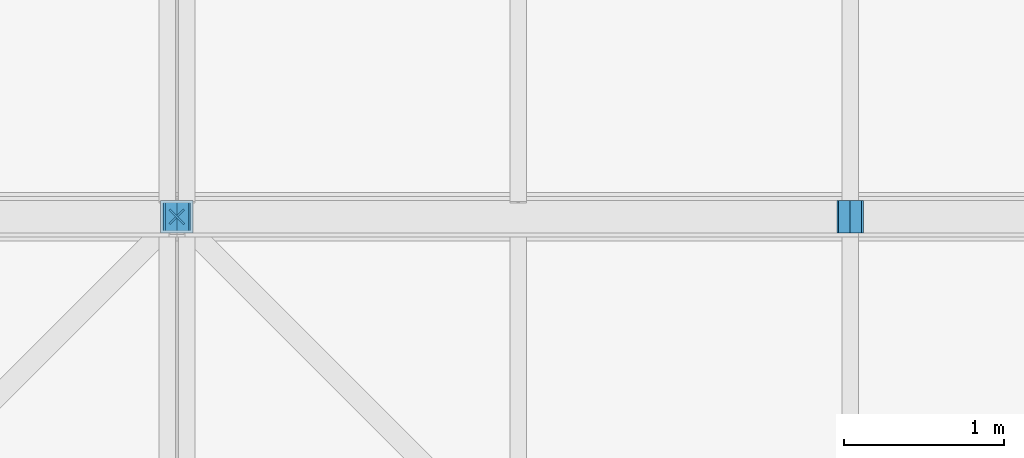
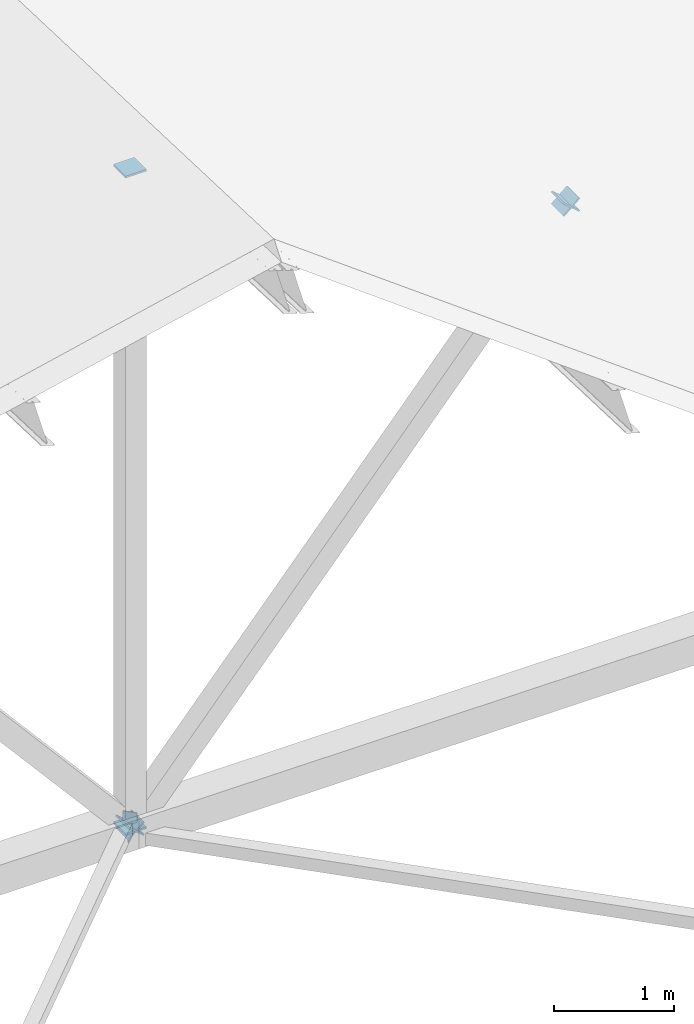
# One storey, part 45 of 76: 8 discrete accessories.
"""IFC4 building model written with IfcOpenShell, lengths in metres."""

from ifc_helpers import new_model, si_unit, direction, frame, origin, origin_2d, place, context, subcontext, project, spatial, rectangle, extrude, material, element, save


model = new_model("IFC4")

# Units and contexts
model_context = context("Model", 3, precision=1e-05, world=origin(), true_north=direction((0.0, 1.0)))
body_context = subcontext(model_context, "Body", "Model", "MODEL_VIEW")
ifc_project = project(units=[si_unit("LENGTHUNIT", "METRE"), si_unit("AREAUNIT", "SQUARE_METRE"), si_unit("VOLUMEUNIT", "CUBIC_METRE"), si_unit("PLANEANGLEUNIT", "RADIAN"), si_unit("MASSUNIT", "GRAM", prefix="KILO")], contexts=[model_context])

# Site, building, storey
site_placement = place(None, origin())
site = spatial("IfcSite", under=ifc_project, at=site_placement, CompositionType="ELEMENT")
building_placement = place(site_placement, origin())
building = spatial("IfcBuilding", under=site, at=building_placement, Name="Hlaing Beacon Police Headquarters", CompositionType="ELEMENT")
storey_placement = place(building_placement, frame((0.0, 0.0, 18.89990234375)))
storey = spatial("IfcBuildingStorey", under=building, at=storey_placement, Name="L04", CompositionType="ELEMENT", Elevation=18.89990234375)

# Discrete accessories
ifc_material = material(Name="Steel ASTM A572 Grade 50", Category="steel")
for number, where, z_axis, x_axis, name in (
    (1, (67.199951171875, 42.0, -4.33740234375), (0.0, 0.0, -1.0), (1.0, 0.0, 0.0), "Gusset plate GP-265"),
    (2, (67.199951171875, 42.0, 2.344482421875), (0.0, 0.0, 1.0), (1.0, 0.0, 0.0), "Gusset plate GP-266"),
):
    element("IfcDiscreteAccessory", number, at=place(storey_placement, frame(where, z_axis=z_axis, x_axis=x_axis)), inside=storey, material=ifc_material, Name=name, PredefinedType="BRACKET", context=body_context, shape_type="SweptSolid", body=[
        extrude(rectangle(XDim=0.203125, YDim=0.203125, at=origin_2d()), origin(), (0.0, 0.0, 1.0), 0.02001953125),
    ])
for number, where, z_axis, x_axis, name in (
    (3, (67.19482421875, 42.0, -4.34130859375), (0.651561457918, 0.0, -0.758595851924), (0.0, 1.0, 0.0), "Gusset plate GP-276"),
    (4, (67.205078125, 42.0, -4.34130859375), (-0.651561457918, 0.0, -0.758595851924), (0.0, -1.0, 0.0), "Gusset plate GP-277"),
    (5, (71.394775390625, 42.0, 0.536376953125), (0.651561457918, 0.0, 0.758595851924), (0.0, 1.0, 0.0), "Gusset plate GP-278"),
    (6, (71.405029296875, 42.0, 0.536376953125), (-0.651583252877, 0.0, 0.75857713159), (0.0, -1.0, 0.0), "Gusset plate GP-279"),
):
    element("IfcDiscreteAccessory", number, at=place(storey_placement, frame(where, z_axis=z_axis, x_axis=x_axis)), inside=storey, material=ifc_material, Name=name, PredefinedType="BRACKET", context=body_context, shape_type="SweptSolid", body=[
        extrude(rectangle(XDim=0.203125, YDim=0.203125, at=origin_2d()), origin(), (0.0, 0.0, 1.0), 0.01611328125),
    ])
for number, where, z_axis, x_axis, name in (
    (7, (67.195556640625, 41.99560546875, -4.27392578125), (0.707106781187, 0.707106781187, 0.0), (-0.707106781187, 0.707106781187, 0.0), "Gusset plate GP-384"),
    (8, (67.2041015625, 41.995849609375, -4.4208984375), (-0.707117056885, 0.707096505339, 0.0), (-0.707096505339, -0.707117056885, 0.0), "Gusset plate GP-389"),
):
    element("IfcDiscreteAccessory", number, at=place(storey_placement, frame(where, z_axis=z_axis, x_axis=x_axis)), inside=storey, material=ifc_material, Name=name, PredefinedType="BRACKET", context=body_context, shape_type="SweptSolid", body=[
        extrude(rectangle(XDim=0.126953125, YDim=0.126953125, at=origin_2d()), origin(), (0.0, 0.0, 1.0), 0.011962890625),
    ])

save(model, "model.ifc")
